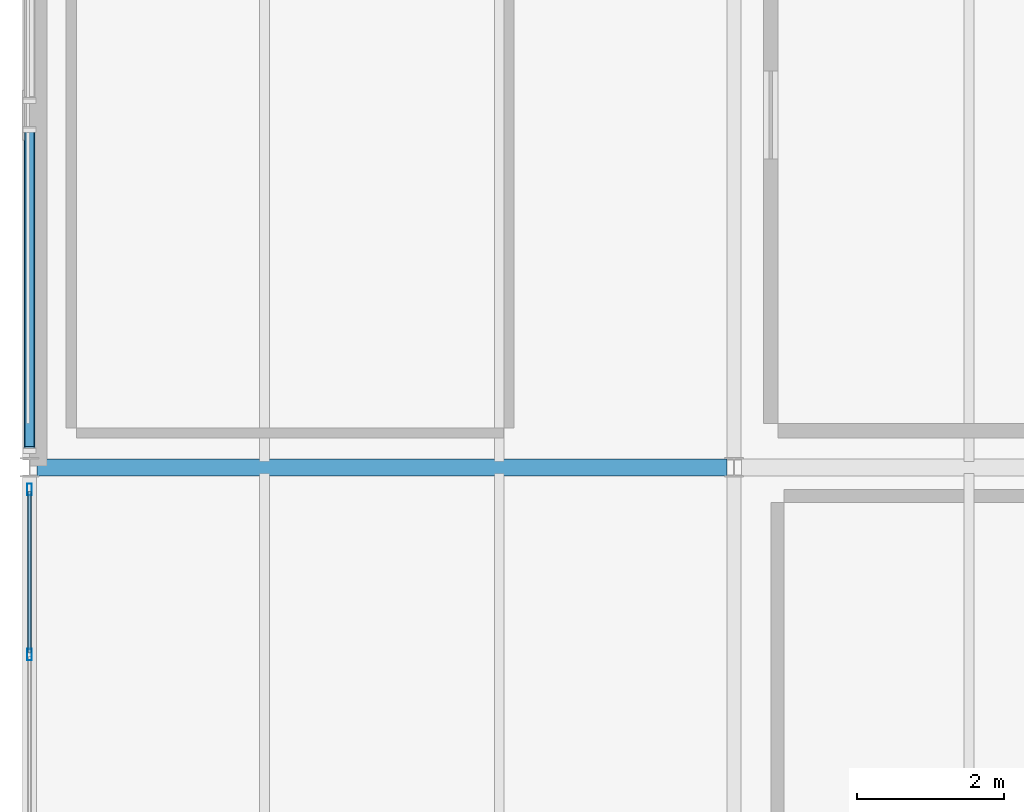
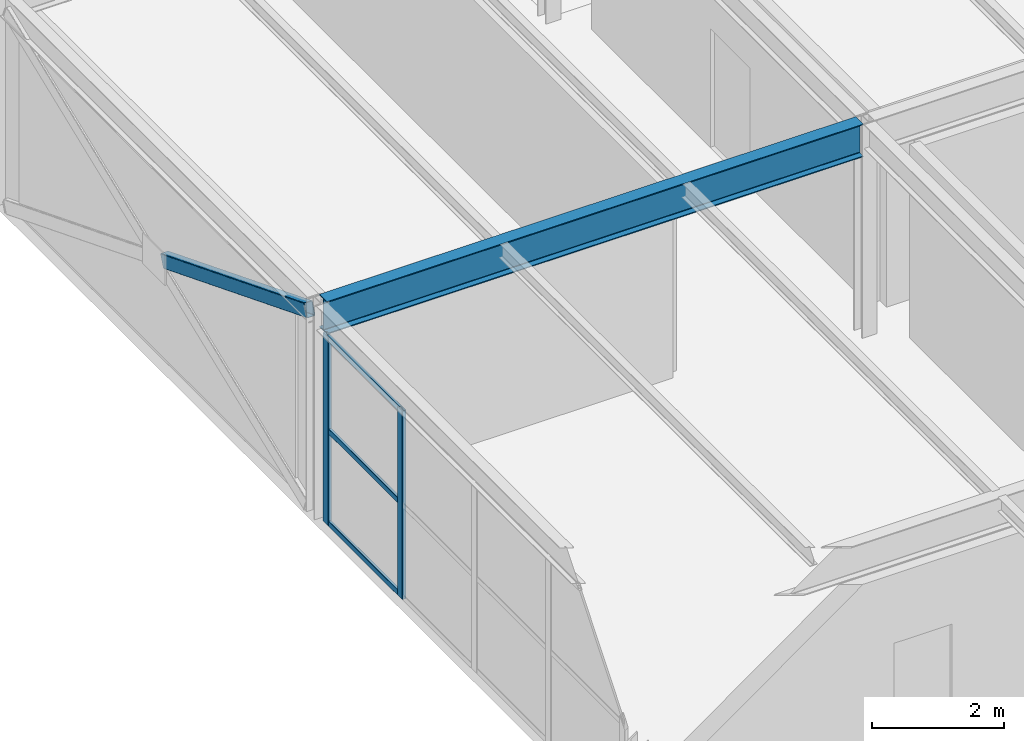
# One storey, part 12 of 39: 6 members, 1 beam, 1 element without a shape of its own.
"""IFC4 building model written with IfcOpenShell, lengths in metres."""

from ifc_helpers import new_model, si_unit, direction, frame, origin, origin_2d, place, context, subcontext, project, spatial, hollow_rectangle, i_section, extrude, material, material_profile, profile_set, type_object, element, aggregate, save


model = new_model("IFC4")

# Units and contexts
model_context = context("Model", 3, precision=1e-05, world=origin(), true_north=direction((0.0, 1.0)))
body_context = subcontext(model_context, "Body", "Model", "MODEL_VIEW")
ifc_project = project(units=[si_unit("LENGTHUNIT", "METRE"), si_unit("AREAUNIT", "SQUARE_METRE"), si_unit("VOLUMEUNIT", "CUBIC_METRE"), si_unit("PLANEANGLEUNIT", "RADIAN"), si_unit("MASSUNIT", "GRAM", prefix="KILO")], contexts=[model_context])

# Site, building, storey
site_placement = place(None, origin())
site = spatial("IfcSite", under=ifc_project, at=site_placement, CompositionType="ELEMENT")
building_placement = place(site_placement, origin())
building = spatial("IfcBuilding", under=site, at=building_placement, Name="Coralgate Yard Interchange", CompositionType="ELEMENT")
storey_placement = place(building_placement, frame((0.0, 0.0, 18.89990234375)))
storey = spatial("IfcBuildingStorey", under=building, at=storey_placement, Name="L04", CompositionType="ELEMENT", Elevation=18.89990234375)

# Beam
ifc_material_1 = material(Name="Structural steel S355J2", Category="steel")
ifc_material_profile_1 = material_profile(ifc_material_1, i_section(OverallWidth=0.228271484375, OverallDepth=0.607666015625, WebThickness=0.010986328125, FlangeThickness=0.017333984375, FilletRadius=0.0126953125, at=origin_2d()), Name="UB 610x229x113")
ifc_profile_set_1 = profile_set([ifc_material_profile_1], Name="Structural steel S355J2")
beam_type = type_object("IfcBeamType", Name="BM-SG-5", PredefinedType="BEAM", material=ifc_profile_set_1)
beam_placement = place(storey_placement, frame((0.099365234375, 19.199951171875, 3.646240234375), z_axis=(1.0, 0.0, 0.0), x_axis=(0.0, 1.0, 0.0)))
element("IfcBeam", 1, at=beam_placement, inside=storey, type_object=beam_type, Name="L04 primary grid beam Y2 X0-1", PredefinedType="BEAM", context=body_context, shape_type="SweptSolid", body=[
    extrude(i_section(OverallWidth=0.228271484375, OverallDepth=0.607666015625, WebThickness=0.010986328125, FlangeThickness=0.017333984375, FilletRadius=0.0126953125, at=origin_2d()), origin(), (0.0, 0.0, 1.0), 9.401123046875),
])

# Member
ifc_material_profile_2 = material_profile(ifc_material_1, hollow_rectangle(XDim=0.14990234375, YDim=0.25, WallThickness=0.010009765625, InnerFilletRadius=0.010009765625, OuterFilletRadius=0.02001953125, at=origin_2d()), Name="RHS 250x150x10")
ifc_profile_set_2 = profile_set([ifc_material_profile_2], Name="Structural steel S355J2")
member_type_1 = type_object("IfcMemberType", Name="MB-BR-3", PredefinedType="BRACE", material=ifc_profile_set_2)
member_1_placement = place(storey_placement, frame((0.0, 23.79541015625, 1.906005859375), z_axis=(0.0, -0.929800667683, 0.368063470582), x_axis=(1.0, 0.0, 0.0)))
element("IfcMember", 2, at=member_1_placement, inside=storey, type_object=member_type_1, Name="L04 split concentric X-brace W-B2", PredefinedType="BRACE", context=body_context, shape_type="SweptSolid", body=[
    extrude(hollow_rectangle(XDim=0.14990234375, YDim=0.25, WallThickness=0.010009765625, InnerFilletRadius=0.010009765625, OuterFilletRadius=0.02001953125, at=origin_2d()), origin(), (0.0, 0.0, 1.0), 4.684326171875),
])

# Curtain wall, members
ifc_material_2 = material(Name="Anodised coastal aluminium and solar-control low-E glass", Category="aluminium")
curtain_wall_type = type_object("IfcCurtainWallType", Name="CW-CW-L04-A", PredefinedType="NOTDEFINED", material=ifc_material_2)
curtain_wall_placement = place(storey_placement, origin())
curtain_wall = element("IfcCurtainWall", 3, at=curtain_wall_placement, inside=storey, type_object=curtain_wall_type, Name="L04 unitised curtain wall CW-L04-W-00-01", PredefinedType="NOTDEFINED")
ifc_material_3 = material(Name="Anodised coastal aluminium 6063-T6", Category="aluminium")
ifc_material_profile_3 = material_profile(ifc_material_3, hollow_rectangle(XDim=0.06494140625, YDim=0.159912109375, WallThickness=0.00390625, InnerFilletRadius=0.00390625, OuterFilletRadius=0.008056640625, at=origin_2d()), Name="ALU 65x160x4")
ifc_profile_set_3 = profile_set([ifc_material_profile_3], Name="Anodised coastal aluminium 6063-T6")
member_type_2 = type_object("IfcMemberType", Name="MB-MUL-160", PredefinedType="MULLION", material=ifc_profile_set_3)
member_2_placement = place(storey_placement, frame((0.0, 16.64990234375, 0.0), z_axis=(0.0, 0.0, 1.0), x_axis=(1.0, 0.0, 0.0)))
member_2 = element("IfcMember", 4, at=member_2_placement, type_object=member_type_2, Name="CW-L04-W-00-01 vertical mullion 4", PredefinedType="MULLION", context=body_context, shape_type="SweptSolid", body=[
    extrude(hollow_rectangle(XDim=0.06494140625, YDim=0.159912109375, WallThickness=0.00390625, InnerFilletRadius=0.00390625, OuterFilletRadius=0.008056640625, at=origin_2d()), origin(), (0.0, 0.0, 1.0), 3.4931640625),
])
member_3_placement = place(storey_placement, frame((0.0, 18.89990234375, 0.0), z_axis=(0.0, 0.0, 1.0), x_axis=(1.0, 0.0, 0.0)))
member_3 = element("IfcMember", 5, at=member_3_placement, type_object=member_type_2, Name="CW-L04-W-00-01 vertical mullion 5", PredefinedType="MULLION", context=body_context, shape_type="SweptSolid", body=[
    extrude(hollow_rectangle(XDim=0.06494140625, YDim=0.159912109375, WallThickness=0.00390625, InnerFilletRadius=0.00390625, OuterFilletRadius=0.008056640625, at=origin_2d()), origin(), (0.0, 0.0, 1.0), 3.4931640625),
])
ifc_material_profile_4 = material_profile(ifc_material_3, hollow_rectangle(XDim=0.050048828125, YDim=0.10009765625, WallThickness=0.0029296875, InnerFilletRadius=0.0029296875, OuterFilletRadius=0.006103515625, at=origin_2d()), Name="ALU 50x100x3")
ifc_profile_set_4 = profile_set([ifc_material_profile_4], Name="Anodised coastal aluminium 6063-T6")
member_type_3 = type_object("IfcMemberType", Name="MB-TRN-100", PredefinedType="USERDEFINED", material=ifc_profile_set_4)
member_4_placement = place(storey_placement, frame((0.0, 16.679931640625, 0.03515625), z_axis=(0.0, 1.0, 0.0), x_axis=(-1.0, 0.0, 0.0)))
member_4 = element("IfcMember", 6, at=member_4_placement, type_object=member_type_3, Name="CW-L04-W-00-01 horizontal transom 4-1", ObjectType="TRANSOM", PredefinedType="USERDEFINED", context=body_context, shape_type="SweptSolid", body=[
    extrude(hollow_rectangle(XDim=0.050048828125, YDim=0.10009765625, WallThickness=0.0029296875, InnerFilletRadius=0.0029296875, OuterFilletRadius=0.006103515625, at=origin_2d()), origin(), (0.0, 0.0, 1.0), 2.190185546875),
])
member_5_placement = place(storey_placement, frame((0.0, 16.679931640625, 1.74658203125), z_axis=(0.0, 1.0, 0.0), x_axis=(-1.0, 0.0, 0.0)))
member_5 = element("IfcMember", 7, at=member_5_placement, type_object=member_type_3, Name="CW-L04-W-00-01 horizontal transom 4-2", ObjectType="TRANSOM", PredefinedType="USERDEFINED", context=body_context, shape_type="SweptSolid", body=[
    extrude(hollow_rectangle(XDim=0.050048828125, YDim=0.10009765625, WallThickness=0.0029296875, InnerFilletRadius=0.0029296875, OuterFilletRadius=0.006103515625, at=origin_2d()), origin(), (0.0, 0.0, 1.0), 2.190185546875),
])
member_6_placement = place(storey_placement, frame((0.0, 16.679931640625, 3.4580078125), z_axis=(0.0, 1.0, 0.0), x_axis=(-1.0, 0.0, 0.0)))
member_6 = element("IfcMember", 8, at=member_6_placement, type_object=member_type_3, Name="CW-L04-W-00-01 horizontal transom 4-3", ObjectType="TRANSOM", PredefinedType="USERDEFINED", context=body_context, shape_type="SweptSolid", body=[
    extrude(hollow_rectangle(XDim=0.050048828125, YDim=0.10009765625, WallThickness=0.0029296875, InnerFilletRadius=0.0029296875, OuterFilletRadius=0.006103515625, at=origin_2d()), origin(), (0.0, 0.0, 1.0), 2.190185546875),
])
aggregate(curtain_wall, [member_2, member_3, member_4, member_5, member_6])

save(model, "model.ifc")
